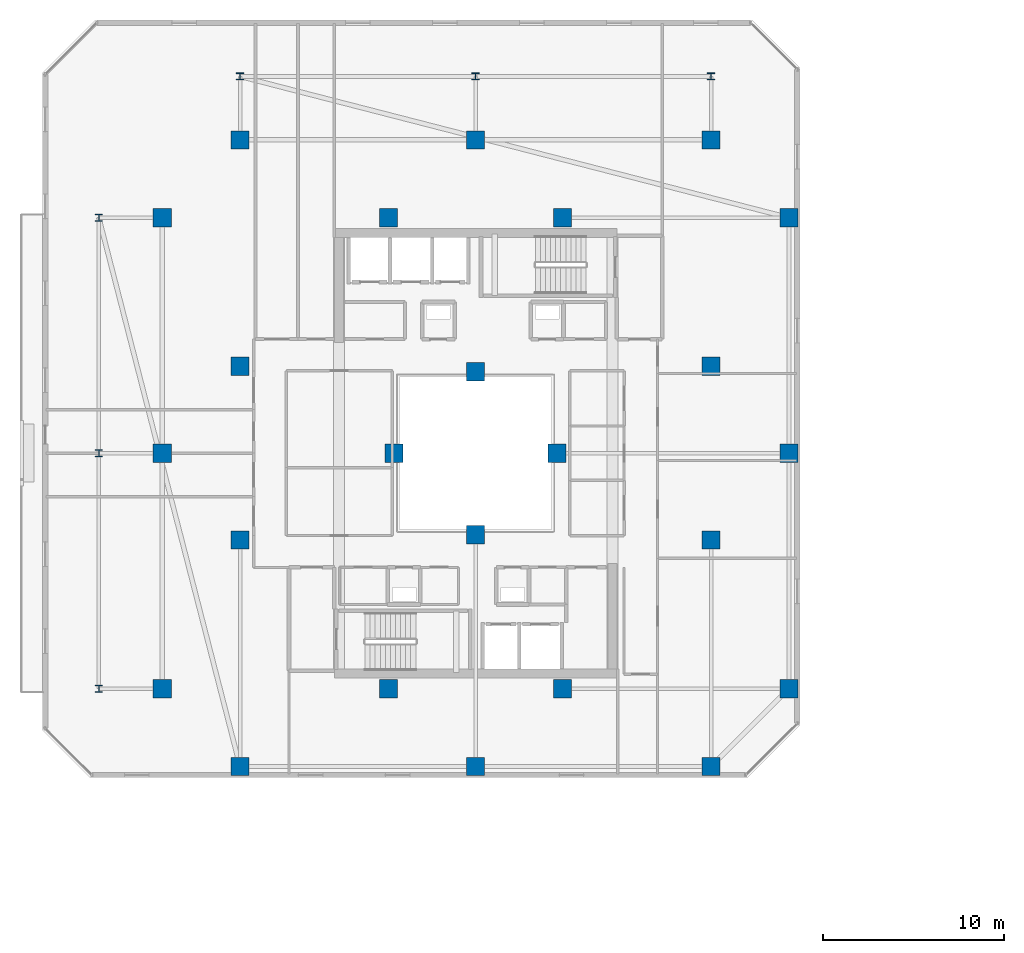
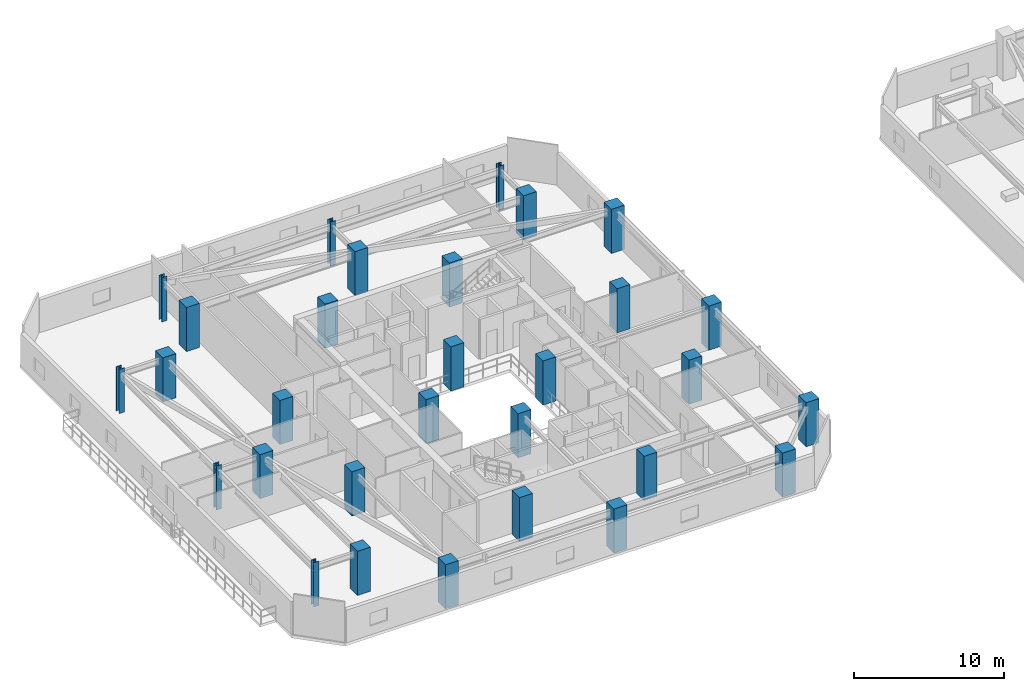
# One storey, part 1 of 33: 30 columns.
"""IFC4 building model written with IfcOpenShell, lengths in metres."""

from ifc_helpers import new_model, si_unit, direction, frame, origin, origin_2d, place, context, subcontext, project, spatial, rectangle, i_section, extrude, material, material_profile, profile_set, type_object, element, save


model = new_model("IFC4")

# Units and contexts
model_context = context("Model", 3, precision=1e-05, world=origin(), true_north=direction((0.0, 1.0)))
body_context = subcontext(model_context, "Body", "Model", "MODEL_VIEW")
ifc_project = project(units=[si_unit("LENGTHUNIT", "METRE"), si_unit("AREAUNIT", "SQUARE_METRE"), si_unit("VOLUMEUNIT", "CUBIC_METRE"), si_unit("PLANEANGLEUNIT", "RADIAN"), si_unit("MASSUNIT", "GRAM", prefix="KILO")], contexts=[model_context])

# Site, building, storey
site_placement = place(None, origin())
site = spatial("IfcSite", under=ifc_project, at=site_placement, CompositionType="ELEMENT")
building_placement = place(site_placement, origin())
building = spatial("IfcBuilding", under=site, at=building_placement, Name="Thornwick Lancets Civic Towers", CompositionType="ELEMENT")
storey_placement = place(building_placement, frame((0.0, 0.0, 218.10009765625)))
storey = spatial("IfcBuildingStorey", under=building, at=storey_placement, Name="L58", CompositionType="ELEMENT", Elevation=218.10009765625)

# Columns
ifc_material_1 = material(Name="Concrete C50/60", Category="concrete")
ifc_material_profile_1 = material_profile(ifc_material_1, rectangle(XDim=1.0, YDim=1.0, at=origin_2d()), Name="RC 1000x1000")
ifc_profile_set_1 = profile_set([ifc_material_profile_1], Name="Concrete C50/60")
column_type_1 = type_object("IfcColumnType", Name="COL_RC_1000", PredefinedType="COLUMN", material=ifc_profile_set_1)
for number, where, z_axis, x_axis, name in (
    (1, (12.5, 9.699951171875, 0.0), (0.0, 0.0, 1.0), (1.0, 0.0, 0.0), "L58 Spine Mega-Column A01"),
    (2, (25.5, 9.699951171875, 0.0), (0.0, 0.0, 1.0), (1.0, 0.0, 0.0), "L58 Spine Mega-Column A02"),
    (3, (38.5, 9.699951171875, 0.0), (0.0, 0.0, 1.0), (1.0, 0.0, 0.0), "L58 Spine Mega-Column A03"),
    (4, (42.800048828125, 14.0, 0.0), (0.0, 0.0, 1.0), (1.0, 0.0, 0.0), "L58 Spine Mega-Column A04"),
    (5, (42.800048828125, 27.0, 0.0), (0.0, 0.0, 1.0), (1.0, 0.0, 0.0), "L58 Spine Mega-Column A05"),
    (6, (42.800048828125, 40.0, 0.0), (0.0, 0.0, 1.0), (1.0, 0.0, 0.0), "L58 Spine Mega-Column A06"),
    (7, (12.5, 44.300048828125, 0.0), (0.0, 0.0, 1.0), (1.0, 0.0, 0.0), "L58 Spine Mega-Column A07"),
    (8, (25.5, 44.300048828125, 0.0), (0.0, 0.0, 1.0), (1.0, 0.0, 0.0), "L58 Spine Mega-Column A08"),
    (9, (38.5, 44.300048828125, 0.0), (0.0, 0.0, 1.0), (1.0, 0.0, 0.0), "L58 Spine Mega-Column A09"),
    (10, (8.199951171875, 14.0, 0.0), (0.0, 0.0, 1.0), (1.0, 0.0, 0.0), "L58 Spine Mega-Column A10"),
    (11, (8.199951171875, 27.0, 0.0), (0.0, 0.0, 1.0), (1.0, 0.0, 0.0), "L58 Spine Mega-Column A11"),
    (12, (8.199951171875, 40.0, 0.0), (0.0, 0.0, 1.0), (1.0, 0.0, 0.0), "L58 Spine Mega-Column A12"),
    (13, (12.5, 22.199951171875, 0.0), (0.0, 0.0, 1.0), (1.0, 0.0, 0.0), "L58 Spine Mega-Column A13"),
    (14, (38.5, 22.199951171875, 0.0), (0.0, 0.0, 1.0), (1.0, 0.0, 0.0), "L58 Spine Mega-Column A14"),
    (15, (12.5, 31.800048828125, 0.0), (0.0, 0.0, 1.0), (1.0, 0.0, 0.0), "L58 Spine Mega-Column A15"),
    (16, (38.5, 31.800048828125, 0.0), (0.0, 0.0, 1.0), (1.0, 0.0, 0.0), "L58 Spine Mega-Column A16"),
    (17, (20.699951171875, 14.0, 0.0), (0.0, 0.0, 1.0), (1.0, 0.0, 0.0), "L58 Spine Mega-Column A17"),
    (18, (30.300048828125, 14.0, 0.0), (0.0, 0.0, 1.0), (1.0, 0.0, 0.0), "L58 Spine Mega-Column A18"),
    (19, (20.699951171875, 40.0, 0.0), (0.0, 0.0, 1.0), (1.0, 0.0, 0.0), "L58 Spine Mega-Column A19"),
    (20, (30.300048828125, 40.0, 0.0), (0.0, 0.0, 1.0), (1.0, 0.0, 0.0), "L58 Spine Mega-Column A20"),
    (21, (25.5, 22.5, 0.0), (0.0, 0.0, 1.0), (1.0, 0.0, 0.0), "L58 Spine Mega-Column A21"),
    (22, (25.5, 31.5, 0.0), (0.0, 0.0, 1.0), (1.0, 0.0, 0.0), "L58 Spine Mega-Column A22"),
    (23, (21.0, 27.0, 0.0), (0.0, 0.0, 1.0), (1.0, 0.0, 0.0), "L58 Spine Mega-Column A23"),
    (24, (30.0, 27.0, 0.0), (0.0, 0.0, 1.0), (1.0, 0.0, 0.0), "L58 Spine Mega-Column A24"),
):
    element("IfcColumn", number, at=place(storey_placement, frame(where, z_axis=z_axis, x_axis=x_axis)), inside=storey, type_object=column_type_1, Name=name, PredefinedType="COLUMN", context=body_context, shape_type="SweptSolid", body=[
        extrude(rectangle(XDim=1.0, YDim=1.0, at=origin_2d()), origin(), (0.0, 0.0, 1.0), 3.599853515625),
    ])
ifc_material_2 = material(Name="Steel S355JR", Category="steel")
ifc_material_profile_2 = material_profile(ifc_material_2, i_section(OverallWidth=0.39892578125, OverallDepth=0.3935546875, WebThickness=0.022705078125, FlangeThickness=0.03662109375, FilletRadius=0.01513671875, at=origin_2d()), Name="UKC 356x406x287")
ifc_profile_set_2 = profile_set([ifc_material_profile_2], Name="Steel S355JR")
column_type_2 = type_object("IfcColumnType", Name="COL_UKC_287", PredefinedType="COLUMN", material=ifc_profile_set_2)
for number, where, z_axis, x_axis, name in (
    (25, (12.5, 47.800048828125, 0.0), (0.0, 0.0, 1.0), (1.0, 0.0, 0.0), "L58 Block Perimeter Column A07"),
    (26, (25.5, 47.800048828125, 0.0), (0.0, 0.0, 1.0), (1.0, 0.0, 0.0), "L58 Block Perimeter Column A08"),
    (27, (38.5, 47.800048828125, 0.0), (0.0, 0.0, 1.0), (1.0, 0.0, 0.0), "L58 Block Perimeter Column A09"),
    (28, (4.699951171875, 14.0, 0.0), (0.0, 0.0, 1.0), (1.0, 0.0, 0.0), "L58 Block Perimeter Column A10"),
    (29, (4.699951171875, 27.0, 0.0), (0.0, 0.0, 1.0), (1.0, 0.0, 0.0), "L58 Block Perimeter Column A11"),
    (30, (4.699951171875, 40.0, 0.0), (0.0, 0.0, 1.0), (1.0, 0.0, 0.0), "L58 Block Perimeter Column A12"),
):
    element("IfcColumn", number, at=place(storey_placement, frame(where, z_axis=z_axis, x_axis=x_axis)), inside=storey, type_object=column_type_2, Name=name, PredefinedType="COLUMN", context=body_context, shape_type="SweptSolid", body=[
        extrude(i_section(OverallWidth=0.39892578125, OverallDepth=0.3935546875, WebThickness=0.022705078125, FlangeThickness=0.03662109375, FilletRadius=0.01513671875, at=origin_2d()), origin(), (0.0, 0.0, 1.0), 3.599853515625),
    ])

save(model, "model.ifc")
